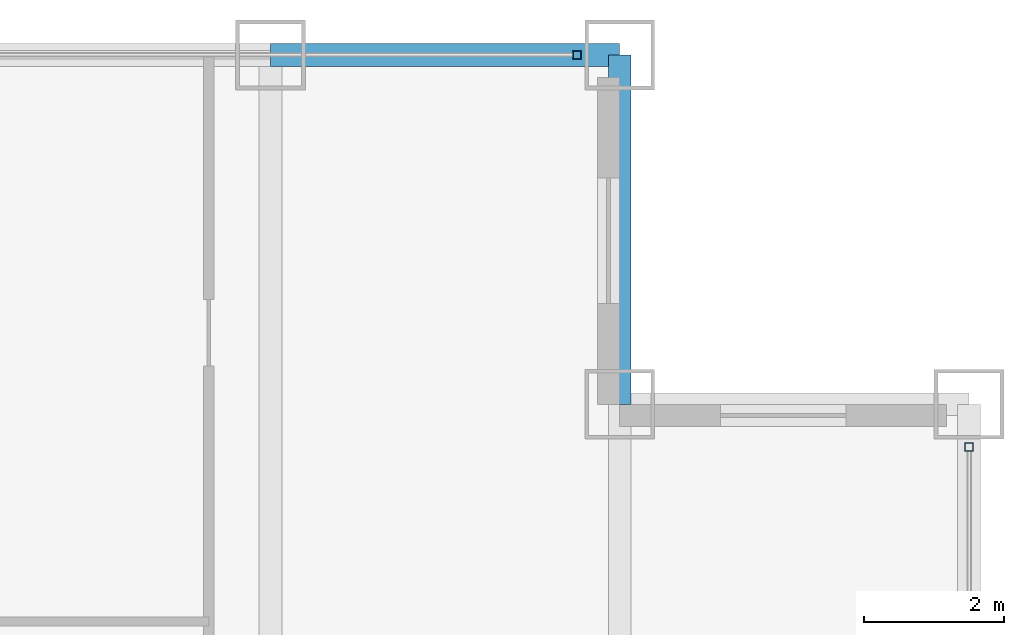
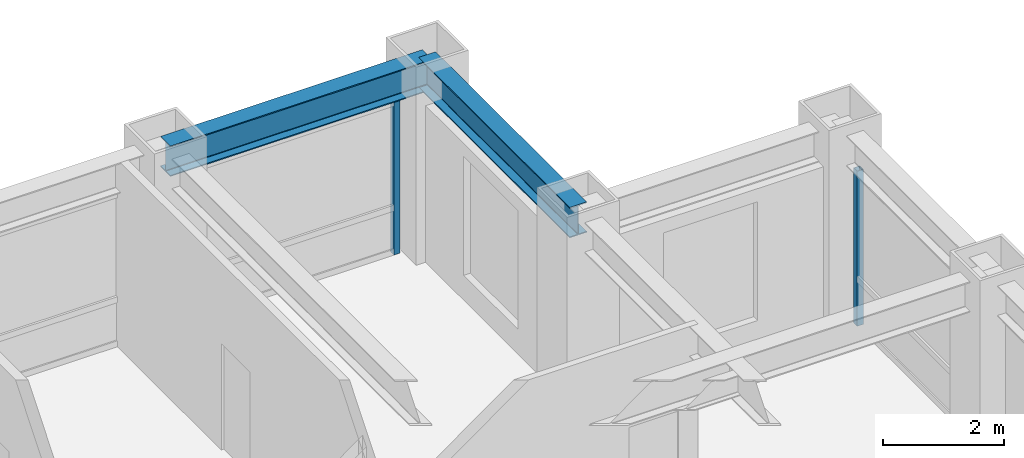
# One storey, part 18 of 25: 2 beams, 2 members, 2 elements without a shape of their own.
"""IFC4 building model written with IfcOpenShell, lengths in metres."""

from ifc_helpers import new_model, si_unit, direction, frame, origin, origin_2d, place, context, subcontext, project, spatial, hollow_rectangle, i_section, extrude, source, transform, mapped, material, material_profile, profile_set, type_object, element, aggregate, save


model = new_model("IFC4")

# Units and contexts
model_context = context("Model", 3, precision=1e-05, world=origin(), true_north=direction((0.0, 1.0)))
body_context = subcontext(model_context, "Body", "Model", "MODEL_VIEW")
ifc_project = project(units=[si_unit("LENGTHUNIT", "METRE"), si_unit("AREAUNIT", "SQUARE_METRE"), si_unit("VOLUMEUNIT", "CUBIC_METRE"), si_unit("PLANEANGLEUNIT", "RADIAN"), si_unit("MASSUNIT", "GRAM", prefix="KILO")], contexts=[model_context])

# Site, building, storey
site_placement = place(None, origin())
site = spatial("IfcSite", under=ifc_project, at=site_placement, CompositionType="ELEMENT")
building_placement = place(site_placement, origin())
building = spatial("IfcBuilding", under=site, at=building_placement, Name="Khorayat Bourse Tower", CompositionType="ELEMENT")
storey_placement = place(building_placement, frame((0.0, 0.0, 223.10009765625)))
storey = spatial("IfcBuildingStorey", under=building, at=storey_placement, Name="L52", CompositionType="ELEMENT", Elevation=223.10009765625)

# Beams
ifc_material_1 = material(Name="Steel ASTM A992 Grade 50", Category="steel")
ifc_material_profile_1 = material_profile(ifc_material_1, i_section(OverallWidth=0.324951171875, OverallDepth=0.615966796875, WebThickness=0.013916015625, FlangeThickness=0.021484375, FilletRadius=0.01611328125, at=origin_2d()), Name="W610X174")
ifc_profile_set_1 = profile_set([ifc_material_profile_1], Name="Steel ASTM A992 Grade 50")
beam_type = type_object("IfcBeamType", Name="BM-SPAN-610", PredefinedType="SPANDREL", material=ifc_profile_set_1)
shared_shape_1 = source(origin(), body_context, "Body", "SweptSolid", [
    extrude(i_section(OverallWidth=0.324951171875, OverallDepth=0.615966796875, WebThickness=0.013916015625, FlangeThickness=0.021484375, FilletRadius=0.01611328125, at=origin_2d()), origin(), (0.0, 0.0, 1.0), 5.0),
])
for number, where, z_axis, x_axis, name in (
    (1, (25.0, 25.0, 3.471923828125), (0.0, 1.0, 0.0), (-1.0, 0.0, 0.0), "L52 BM-SPAN-610 BM-L52-SPN-043"),
    (2, (20.0, 30.0, 3.471923828125), (1.0, 0.0, 0.0), (0.0, 1.0, 0.0), "L52 BM-SPAN-610 BM-L52-SPN-044"),
):
    element("IfcBeam", number, at=place(storey_placement, frame(where, z_axis=z_axis, x_axis=x_axis)), inside=storey, type_object=beam_type, Name=name, PredefinedType="SPANDREL", context=body_context, shape_type="MappedRepresentation", body=[
        mapped(shared_shape_1, transform((0.0, 0.0, 0.0), scale=1.0)),
    ])

# Curtain wall, member
ifc_material_2 = material(Name="Aluminium EN AW-6063 T6", Category="aluminium")
curtain_wall_type = type_object("IfcCurtainWallType", Name="CW-SYS-03", PredefinedType="NOTDEFINED", material=ifc_material_2)
curtain_wall_1_placement = place(storey_placement, origin())
curtain_wall_1 = element("IfcCurtainWall", 3, at=curtain_wall_1_placement, inside=storey, type_object=curtain_wall_type, Name="L52 Curtain Wall CW-L52-N1", PredefinedType="NOTDEFINED")
ifc_material_profile_2 = material_profile(ifc_material_2, hollow_rectangle(XDim=0.1201171875, YDim=0.1201171875, WallThickness=0.0048828125, at=origin_2d()), Name="ALU 120x120x5")
ifc_profile_set_2 = profile_set([ifc_material_profile_2], Name="Aluminium EN AW-6063 T6")
member_type = type_object("IfcMemberType", Name="CWM-VERT-120", PredefinedType="MULLION", material=ifc_profile_set_2)
shared_shape_2 = source(origin(), body_context, "Body", "SweptSolid", [
    extrude(hollow_rectangle(XDim=0.1201171875, YDim=0.1201171875, WallThickness=0.0048828125, at=origin_2d()), origin(), (0.0, 0.0, 1.0), 3.1298828125),
])
member_1_placement = place(storey_placement, frame((24.389892578125, 30.0, 0.0), z_axis=(0.0, 0.0, 1.0), x_axis=(0.0, 1.0, 0.0)))
member_1 = element("IfcMember", 4, at=member_1_placement, type_object=member_type, Name="CW-L52-N1 Vertical Mullion 3", PredefinedType="MULLION", context=body_context, shape_type="MappedRepresentation", body=[
    mapped(shared_shape_2, transform((0.0, 0.0, 0.0), scale=1.0)),
])
aggregate(curtain_wall_1, [member_1])

curtain_wall_2_placement = place(storey_placement, origin())
curtain_wall_2 = element("IfcCurtainWall", 5, at=curtain_wall_2_placement, inside=storey, type_object=curtain_wall_type, Name="L52 Curtain Wall CW-L52-E1", PredefinedType="NOTDEFINED")
member_2_placement = place(storey_placement, frame((30.0, 24.389892578125, 0.0), z_axis=(0.0, 0.0, 1.0), x_axis=(-1.0, 0.0, 0.0)))
member_2 = element("IfcMember", 6, at=member_2_placement, type_object=member_type, Name="CW-L52-E1 Vertical Mullion 3", PredefinedType="MULLION", context=body_context, shape_type="MappedRepresentation", body=[
    mapped(shared_shape_2, transform((0.0, 0.0, 0.0), scale=1.0)),
])
aggregate(curtain_wall_2, [member_2])

save(model, "model.ifc")
